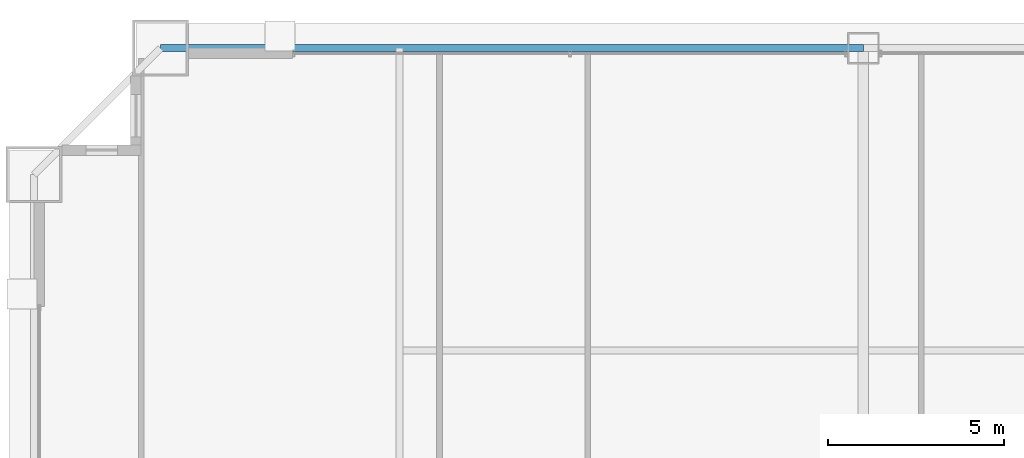
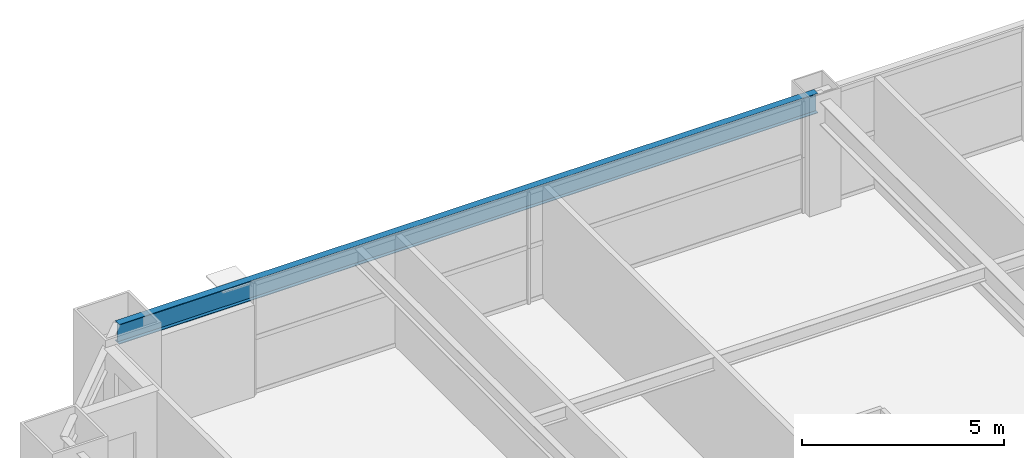
# One storey, part 24 of 39: 1 beam.
"""IFC4 building model written with IfcOpenShell, lengths in metres."""

from ifc_helpers import new_model, si_unit, direction, frame, origin, origin_2d, place, context, subcontext, project, spatial, i_section, extrude, source, transform, mapped, material, material_profile, profile_set, type_object, element, save


model = new_model("IFC4")

# Units and contexts
model_context = context("Model", 3, precision=1e-05, world=origin(), true_north=direction((0.0, 1.0)))
body_context = subcontext(model_context, "Body", "Model", "MODEL_VIEW")
ifc_project = project(units=[si_unit("LENGTHUNIT", "METRE"), si_unit("AREAUNIT", "SQUARE_METRE"), si_unit("VOLUMEUNIT", "CUBIC_METRE"), si_unit("PLANEANGLEUNIT", "RADIAN"), si_unit("MASSUNIT", "GRAM", prefix="KILO"), si_unit("THERMODYNAMICTEMPERATUREUNIT", "KELVIN"), si_unit("POWERUNIT", "WATT")], contexts=[model_context])

# Site, building, storey
site_placement = place(None, origin())
site = spatial("IfcSite", under=ifc_project, at=site_placement, CompositionType="ELEMENT")
building_placement = place(site_placement, origin())
building = spatial("IfcBuilding", under=site, at=building_placement, Name="Yuzanri Waterfront Tower", CompositionType="ELEMENT")
storey_placement = place(building_placement, frame((0.0, 0.0, 148.800048828125)))
storey = spatial("IfcBuildingStorey", under=building, at=storey_placement, Name="L39", CompositionType="ELEMENT", Elevation=148.800048828125)

# Beam
ifc_material = material(Name="Steel Q355B", Category="steel")
ifc_material_profile = material_profile(ifc_material, i_section(OverallWidth=0.199951171875, OverallDepth=0.60009765625, WebThickness=0.010986328125, FlangeThickness=0.01708984375, at=origin_2d()), Name="HN 600x200x11x17")
ifc_profile_set = profile_set([ifc_material_profile], Name="Steel Q355B")
beam_type = type_object("IfcBeamType", Name="Perimeter Spandrel Q355B HN 600x200", PredefinedType="SPANDREL", material=ifc_profile_set)
shared_shape = source(origin(), body_context, "Body", "SweptSolid", [
    extrude(i_section(OverallWidth=0.199951171875, OverallDepth=0.60009765625, WebThickness=0.010986328125, FlangeThickness=0.01708984375, at=origin_2d()), origin(), (0.0, 0.0, 1.0), 20.0),
])
beam_placement = place(storey_placement, frame((37.0, 49.39990234375, 3.079833984375), z_axis=(-1.0, 0.0, 0.0), x_axis=(0.0, -1.0, 0.0)))
element("IfcBeam", 1, at=beam_placement, inside=storey, type_object=beam_type, Name="L39 Perimeter Spandrel N2-N1", PredefinedType="SPANDREL", context=body_context, shape_type="MappedRepresentation", body=[
    mapped(shared_shape, transform((0.0, 0.0, 0.0), scale=1.0)),
])

save(model, "model.ifc")
